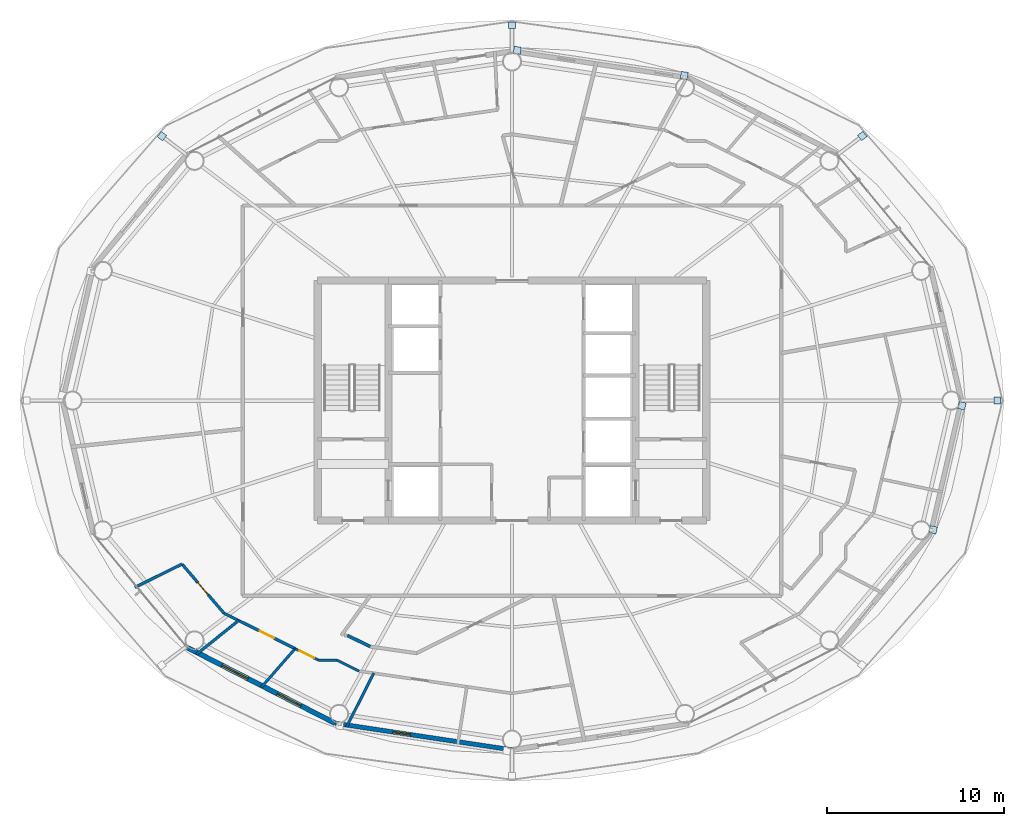
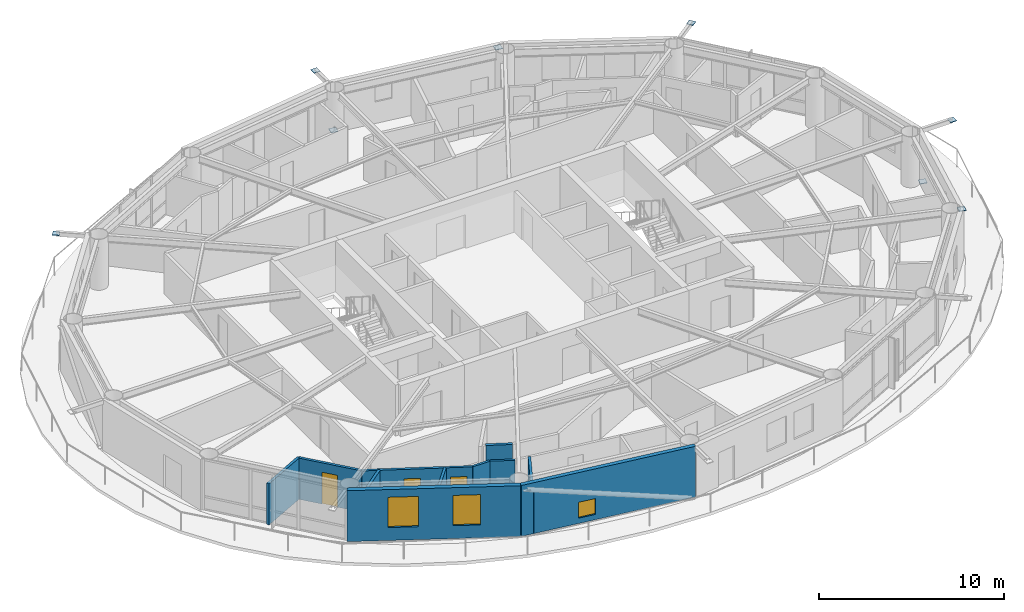
# One storey, part 15 of 23: 12 walls, 8 plates, 3 doors, 3 windows, 6 openings.
"""IFC4 building model written with IfcOpenShell, lengths in metres."""

from ifc_helpers import new_model, si_unit, direction, frame, frame_2d, origin, origin_2d, place, context, subcontext, project, spatial, rectangle, extrude, material, layer, layer_set, type_object, element, fill, save


model = new_model("IFC4")

# Units and contexts
model_context = context("Model", 3, precision=1e-05, world=origin(), true_north=direction((0.0, 1.0)))
body_context = subcontext(model_context, "Body", "Model", "MODEL_VIEW")
ifc_project = project(units=[si_unit("LENGTHUNIT", "METRE"), si_unit("AREAUNIT", "SQUARE_METRE"), si_unit("VOLUMEUNIT", "CUBIC_METRE"), si_unit("PLANEANGLEUNIT", "RADIAN"), si_unit("MASSUNIT", "GRAM", prefix="KILO")], contexts=[model_context])

# Site, building, storey
site_placement = place(None, origin())
site = spatial("IfcSite", under=ifc_project, at=site_placement, CompositionType="ELEMENT")
building_placement = place(site_placement, origin())
building = spatial("IfcBuilding", under=site, at=building_placement, Name="Sarneth Arch Tower", CompositionType="ELEMENT")
storey_placement = place(building_placement, frame((0.0, 0.0, 246.0)))
storey = spatial("IfcBuildingStorey", under=building, at=storey_placement, Name="L63", CompositionType="ELEMENT", Elevation=246.0)

# Plates
ifc_material_1 = material(Name="Steel S355", Category="steel")
ifc_layer_1 = layer(ifc_material_1, 0.035888671875)
ifc_layer_set_1 = layer_set([ifc_layer_1], Name="Steel S355")
plate_type = type_object("IfcPlateType", Name="PLT-GUSSET-30", PredefinedType="SHEET", material=ifc_layer_set_1)
for number, where, z_axis, x_axis, name in (
    (1, (75.48291015625, 42.0, 3.18212890625), (0.0, 0.0, 1.0), (1.0, 0.0, 0.0), "Steel end cap plate GP-1"),
    (2, (67.838134765625, 56.9833984375, 3.18212890625), (0.0, 0.0, 1.0), (0.798004853043, 0.602651022168, 0.0), "Steel end cap plate GP-1"),
):
    element("IfcPlate", number, at=place(storey_placement, frame(where, z_axis=z_axis, x_axis=x_axis)), inside=storey, type_object=plate_type, Name=name, PredefinedType="SHEET", context=body_context, shape_type="SweptSolid", body=[
        extrude(rectangle(XDim=0.3798828125, YDim=0.3798828125, at=origin_2d()), origin(), (0.0, 0.0, 1.0), 0.035888671875),
    ])
for number, where, z_axis, x_axis, name in (
    (3, (48.296630859375, 61.83544921875, 0.001953125), (0.0, 0.0, 1.0), (-0.988860535448, 0.148845024885, 0.0), "Steel end cap plate GP-1"),
    (4, (57.754150390625, 60.411376953125, 3.0185546875), (0.0, 0.0, 1.0), (-0.988860535448, 0.148845024885, 0.0), "Steel end cap plate GP-1"),
):
    element("IfcPlate", number, at=place(storey_placement, frame(where, z_axis=z_axis, x_axis=x_axis)), inside=storey, type_object=plate_type, Name=name, PredefinedType="SHEET", context=body_context, shape_type="SweptSolid", body=[
        extrude(rectangle(XDim=0.404052734375, YDim=0.404052734375, at=origin_2d()), origin(), (0.0, 0.0, 1.0), 0.035888671875),
    ])
for number, where, z_axis, x_axis, name in (
    (5, (48.0, 63.250244140625, 3.18212890625), (0.0, 0.0, 1.0), (0.0, 1.0, 0.0), "Steel end cap plate GP-1"),
    (6, (28.17724609375, 56.971923828125, 3.18212890625), (0.0, 0.0, 1.0), (-0.798004853043, 0.602651022168, 0.0), "Steel end cap plate GP-1"),
):
    element("IfcPlate", number, at=place(storey_placement, frame(where, z_axis=z_axis, x_axis=x_axis)), inside=storey, type_object=plate_type, Name=name, PredefinedType="SHEET", context=body_context, shape_type="SweptSolid", body=[
        extrude(rectangle(XDim=0.3798828125, YDim=0.3798828125, at=origin_2d()), origin(), (0.0, 0.0, 1.0), 0.035888671875),
    ])
for number, where, z_axis, x_axis, name in (
    (7, (73.4765625, 41.707763671875, 0.001953125), (0.0, 0.0, 1.0), (0.225461202458, 0.974252147129, 0.0), "Steel end cap plate GP-1"),
    (8, (71.851806640625, 34.6845703125, 3.0185546875), (0.0, 0.0, 1.0), (0.225461202458, 0.974252147129, 0.0), "Steel end cap plate GP-1"),
):
    element("IfcPlate", number, at=place(storey_placement, frame(where, z_axis=z_axis, x_axis=x_axis)), inside=storey, type_object=plate_type, Name=name, PredefinedType="SHEET", context=body_context, shape_type="SweptSolid", body=[
        extrude(rectangle(XDim=0.404052734375, YDim=0.404052734375, at=origin_2d()), origin(), (0.0, 0.0, 1.0), 0.035888671875),
    ])

# Wall, opening, window
ifc_material_2 = material(Name="Extruded terracotta rainscreen on Concrete C40/50 backing", Category="masonry")
ifc_layer_2 = layer(ifc_material_2, 0.25)
ifc_layer_set_2 = layer_set([ifc_layer_2], Name="Extruded terracotta rainscreen on Concrete C40/50 backing")
wall_type_1 = type_object("IfcWallType", Name="WALL-EXT-SPAND-250", PredefinedType="SOLIDWALL", material=ifc_layer_set_2)
wall_1_placement = place(storey_placement, frame((37.9873046875, 23.7255859375, 0.0), z_axis=(0.0, 0.0, 1.0), x_axis=(0.988882522213, -0.148698881169, 0.0)))
wall_1 = element("IfcWall", 9, at=wall_1_placement, inside=storey, type_object=wall_type_1, Name="L63 Terracotta perimeter wall 12", PredefinedType="SOLIDWALL", context=body_context, shape_type="SweptSolid", body=[
    extrude(rectangle(XDim=10.125244140625, YDim=0.25, at=frame_2d((5.0625, 0.0))), origin(), (0.0, 0.0, 1.0), 3.360107421875),
])
opening_1_placement = place(wall_1_placement, frame((3.311767578125, 0.0, 0.35009765625)))
opening_1 = element("IfcOpeningElement", 10, at=opening_1_placement, cuts=wall_1, Name="Opening W-14", PredefinedType="OPENING", context=body_context, shape_type="SweptSolid", body=[
    extrude(rectangle(XDim=1.0, YDim=1.050048828125, at=frame_2d((0.5, 0.52490234375))), frame((0.0, 0.135009765625, 0.0), z_axis=(0.0, -1.0, 0.0), x_axis=(1.0, 0.0, 0.0)), (0.0, 0.0, 1.0), 0.27001953125),
])
ifc_material_3 = material(Name="Thermally broken Aluminium 6063-T6 and low-e laminated IGU", Category="aluminium")
window_type_1 = type_object("IfcWindowType", Name="WIN-TWR-1000x1050", PartitioningType="SINGLE_PANEL", PredefinedType="WINDOW", material=ifc_material_3)
window_1_placement = place(opening_1_placement, origin())
window_1 = element("IfcWindow", 11, at=window_1_placement, inside=storey, type_object=window_type_1, Name="L63 Dwelling bedroom window 03", OverallHeight=1.050048828125, OverallWidth=1.0, PartitioningType="SINGLE_PANEL", PredefinedType="WINDOW", context=body_context, shape_type="SweptSolid", body=[
    extrude(rectangle(XDim=1.0, YDim=1.050048828125, at=frame_2d((0.5, 0.52490234375))), frame((0.0, 0.030029296875, 0.0), z_axis=(0.0, -1.0, 0.0), x_axis=(1.0, 0.0, 0.0)), (0.0, 0.0, 1.0), 0.06005859375),
])
fill(opening_1, window_1)

# Wall, openings, windows
ifc_material_4 = material(Name="Extruded terracotta rainscreen on Concrete C40/50 backing", Category="masonry")
ifc_layer_3 = layer(ifc_material_4, 0.280029296875)
ifc_layer_set_3 = layer_set([ifc_layer_3], Name="Extruded terracotta rainscreen on Concrete C40/50 backing")
wall_type_2 = type_object("IfcWallType", Name="WALL-EXT-TERRA-280", PredefinedType="SOLIDWALL", material=ifc_layer_set_3)
wall_2_placement = place(storey_placement, frame((29.617431640625, 28.013427734375, 0.0), z_axis=(0.0, 0.0, 1.0), x_axis=(0.890007394051, -0.455946091699, 0.0)))
wall_2 = element("IfcWall", 12, at=wall_2_placement, inside=storey, type_object=wall_type_2, Name="L63 Terracotta perimeter wall 11", PredefinedType="SOLIDWALL", context=body_context, shape_type="SweptSolid", body=[
    extrude(rectangle(XDim=9.404296875, YDim=0.280029296875, at=frame_2d((4.7021484375, 0.0))), origin(), (0.0, 0.0, 1.0), 3.360107421875),
])
opening_2_placement = place(wall_2_placement, frame((2.210693359375, 0.0, 0.85009765625)))
opening_2 = element("IfcOpeningElement", 13, at=opening_2_placement, cuts=wall_2, Name="Opening W-05", PredefinedType="OPENING", context=body_context, shape_type="SweptSolid", body=[
    extrude(rectangle(XDim=1.64990234375, YDim=2.0, at=frame_2d((0.824951171875, 1.0))), frame((0.0, 0.14990234375, 0.0), z_axis=(0.0, -1.0, 0.0), x_axis=(1.0, 0.0, 0.0)), (0.0, 0.0, 1.0), 0.300048828125),
])
opening_3_placement = place(wall_2_placement, frame((5.7265625, 0.0, 0.85009765625)))
opening_3 = element("IfcOpeningElement", 14, at=opening_3_placement, cuts=wall_2, Name="Opening W-06", PredefinedType="OPENING", context=body_context, shape_type="SweptSolid", body=[
    extrude(rectangle(XDim=1.5, YDim=2.0, at=frame_2d((0.75, 1.0))), frame((0.0, 0.14990234375, 0.0), z_axis=(0.0, -1.0, 0.0), x_axis=(1.0, 0.0, 0.0)), (0.0, 0.0, 1.0), 0.300048828125),
])
ifc_material_5 = material(Name="Thermally broken Aluminium 6063-T6 and low-e laminated IGU", Category="aluminium")
window_type_2 = type_object("IfcWindowType", Name="WIN-TWR-1500x2000", PartitioningType="SINGLE_PANEL", PredefinedType="WINDOW", material=ifc_material_5)
window_2_placement = place(opening_3_placement, origin())
window_2 = element("IfcWindow", 15, at=window_2_placement, inside=storey, type_object=window_type_2, Name="L63 Exterior window 11B", OverallHeight=2.0, OverallWidth=1.5, PartitioningType="SINGLE_PANEL", PredefinedType="WINDOW", context=body_context, shape_type="SweptSolid", body=[
    extrude(rectangle(XDim=1.5, YDim=2.0, at=frame_2d((0.75, 1.0))), frame((0.0, 0.030029296875, 0.0), z_axis=(0.0, -1.0, 0.0), x_axis=(1.0, 0.0, 0.0)), (0.0, 0.0, 1.0), 0.06005859375),
])
fill(opening_3, window_2)
ifc_material_6 = material(Name="Thermally broken Aluminium 6063-T6 and low-e laminated IGU", Category="aluminium")
window_type_3 = type_object("IfcWindowType", Name="WIN-TWR-1650x2000", PartitioningType="DOUBLE_PANEL_VERTICAL", PredefinedType="WINDOW", material=ifc_material_6)
window_3_placement = place(opening_2_placement, origin())
window_3 = element("IfcWindow", 16, at=window_3_placement, inside=storey, type_object=window_type_3, Name="L63 Exterior window 11A", OverallHeight=2.0, OverallWidth=1.64990234375, PartitioningType="SINGLE_PANEL", PredefinedType="WINDOW", context=body_context, shape_type="SweptSolid", body=[
    extrude(rectangle(XDim=1.64990234375, YDim=2.0, at=frame_2d((0.824951171875, 1.0))), frame((0.0, 0.030029296875, 0.0), z_axis=(0.0, -1.0, 0.0), x_axis=(1.0, 0.0, 0.0)), (0.0, 0.0, 1.0), 0.06005859375),
])
fill(opening_2, window_3)

# Wall, opening, door
ifc_material_7 = material(Name="Apartment internal stud partition", Category="gypsum")
ifc_layer_4 = layer(ifc_material_7, 0.139892578125)
ifc_layer_set_4 = layer_set([ifc_layer_4], Name="Apartment internal stud partition")
wall_type_3 = type_object("IfcWallType", Name="WALL-PART-140", PredefinedType="PARTITIONING", material=ifc_layer_set_4)
wall_3_placement = place(storey_placement, frame((35.719482421875, 27.95458984375, 0.0), z_axis=(0.0, 0.0, 1.0), x_axis=(0.895454269924, -0.445153513381, 0.0)))
wall_3 = element("IfcWall", 17, at=wall_3_placement, inside=storey, type_object=wall_type_3, Name="L63 Interior partition W-L63-TP-068", PredefinedType="PARTITIONING", context=body_context, shape_type="SweptSolid", body=[
    extrude(rectangle(XDim=1.470458984375, YDim=0.139892578125, at=frame_2d((0.7353515625, 0.0))), origin(), (0.0, 0.0, 1.0), 2.719970703125),
])
opening_4_placement = place(wall_3_placement, frame((0.28515625, 0.0, 0.0)))
opening_4 = element("IfcOpeningElement", 18, at=opening_4_placement, cuts=wall_3, Name="Opening ID-01", PredefinedType="OPENING", context=body_context, shape_type="SweptSolid", body=[
    extrude(rectangle(XDim=0.89990234375, YDim=2.10009765625, at=frame_2d((0.449951171875, 1.050048828125))), frame((0.0, 0.079833984375, 0.0), z_axis=(0.0, -1.0, 0.0), x_axis=(1.0, 0.0, 0.0)), (0.0, 0.0, 1.0), 0.159912109375),
])
ifc_material_8 = material(Name="Engineered hardwood flush door", Category="wood")
door_type = type_object("IfcDoorType", Name="DR-INT-900", OperationType="SINGLE_SWING_LEFT", PredefinedType="DOOR", material=ifc_material_8)
door_1_placement = place(opening_4_placement, origin())
door_1 = element("IfcDoor", 19, at=door_1_placement, inside=storey, type_object=door_type, Name="L63 Interior door DR-L63-U4-BED1", OperationType="SINGLE_SWING_RIGHT", OverallHeight=2.10009765625, OverallWidth=0.89990234375, PredefinedType="DOOR", context=body_context, shape_type="SweptSolid", body=[
    extrude(rectangle(XDim=0.89990234375, YDim=2.10009765625, at=frame_2d((0.449951171875, 1.050048828125))), frame((0.0, 0.02490234375, 0.0), z_axis=(0.0, -1.0, 0.0), x_axis=(1.0, 0.0, 0.0)), (0.0, 0.0, 1.0), 0.050048828125),
])
fill(opening_4, door_1)

# Walls
wall_4_placement = place(storey_placement, frame((38.101318359375, 27.300048828125, 0.0), z_axis=(0.0, 0.0, 1.0), x_axis=(0.895584310315, -0.444891833053, 0.0)))
element("IfcWall", 20, at=wall_4_placement, inside=storey, type_object=wall_type_3, Name="L63 Interior partition W-L63-TP-070", PredefinedType="PARTITIONING", context=body_context, shape_type="SweptSolid", body=[
    extrude(rectangle(XDim=1.388916015625, YDim=0.139892578125, at=frame_2d((0.6943359375, 0.0))), origin(), (0.0, 0.0, 1.0), 2.719970703125),
])
wall_5_placement = place(storey_placement, frame((37.0361328125, 27.300048828125, 0.0), z_axis=(0.0, 0.0, 1.0), x_axis=(1.0, 0.0, 0.0)))
element("IfcWall", 21, at=wall_5_placement, inside=storey, type_object=wall_type_3, Name="L63 Interior partition W-L63-TP-069", PredefinedType="PARTITIONING", context=body_context, shape_type="SweptSolid", body=[
    extrude(rectangle(XDim=1.065185546875, YDim=0.139892578125, at=frame_2d((0.53271484375, 0.0))), origin(), (0.0, 0.0, 1.0), 2.719970703125),
])
ifc_material_9 = material(Name="Acoustic gypsum stud partition", Category="gypsum")
ifc_layer_5 = layer(ifc_material_9, 0.14990234375)
ifc_layer_set_5 = layer_set([ifc_layer_5], Name="Acoustic gypsum stud partition")
wall_type_4 = type_object("IfcWallType", Name="WALL-PART-150", PredefinedType="PARTITIONING", material=ifc_layer_set_5)
wall_6_placement = place(storey_placement, frame((40.17236328125, 26.5615234375, 0.0), z_axis=(0.0, 0.0, 1.0), x_axis=(-0.452265757691, -0.891883223533, 0.0)))
element("IfcWall", 22, at=wall_6_placement, inside=storey, type_object=wall_type_4, Name="L63 Interior partition W-L63-TP-078", PredefinedType="PARTITIONING", context=body_context, shape_type="SweptSolid", body=[
    extrude(rectangle(XDim=3.41650390625, YDim=0.14990234375, at=frame_2d((1.708251953125, 0.0))), origin(), (0.0, 0.0, 1.0), 2.719970703125),
])
wall_7_placement = place(storey_placement, frame((35.719482421875, 27.95458984375, 0.0), z_axis=(0.0, 0.0, 1.0), x_axis=(-0.658257126569, -0.752793169019, 0.0)))
element("IfcWall", 23, at=wall_7_placement, inside=storey, type_object=wall_type_4, Name="L63 Interior partition W-L63-TP-077", PredefinedType="PARTITIONING", context=body_context, shape_type="SweptSolid", body=[
    extrude(rectangle(XDim=2.933837890625, YDim=0.14990234375, at=frame_2d((1.466796875, 0.0))), origin(), (0.0, 0.0, 1.0), 2.719970703125),
])

# Wall, opening, door
ifc_material_10 = material(Name="Kitchen wet service chase wall", Category="gypsum")
ifc_layer_6 = layer(ifc_material_10, 0.159912109375)
ifc_layer_set_6 = layer_set([ifc_layer_6], Name="Kitchen wet service chase wall")
wall_type_5 = type_object("IfcWallType", Name="WALL-PLUMB-160", PredefinedType="PLUMBINGWALL", material=ifc_layer_set_6)
wall_8_placement = place(storey_placement, frame((31.68896484375, 29.9580078125, 0.0), z_axis=(0.0, 0.0, 1.0), x_axis=(-0.648993169548, 0.7607942336, 0.0)))
wall_8 = element("IfcWall", 24, at=wall_8_placement, inside=storey, type_object=wall_type_5, Name="L63 Interior partition W-L63-TP-061", PredefinedType="PLUMBINGWALL", context=body_context, shape_type="SweptSolid", body=[
    extrude(rectangle(XDim=3.659912109375, YDim=0.159912109375, at=frame_2d((1.830078125, 0.0))), origin(), (0.0, 0.0, 1.0), 2.719970703125),
])
opening_5_placement = place(wall_8_placement, frame((1.3798828125, 0.0, 0.0)))
opening_5 = element("IfcOpeningElement", 25, at=opening_5_placement, cuts=wall_8, Name="Opening ID-01", PredefinedType="OPENING", context=body_context, shape_type="SweptSolid", body=[
    extrude(rectangle(XDim=0.89990234375, YDim=2.10009765625, at=frame_2d((0.449951171875, 1.050048828125))), frame((0.0, 0.08984375, 0.0), z_axis=(0.0, -1.0, 0.0), x_axis=(1.0, 0.0, 0.0)), (0.0, 0.0, 1.0), 0.179931640625),
])
door_2_placement = place(opening_5_placement, origin())
door_2 = element("IfcDoor", 26, at=door_2_placement, inside=storey, type_object=door_type, Name="L63 Interior door DR-L63-U4-KIT", OperationType="SINGLE_SWING_RIGHT", OverallHeight=2.10009765625, OverallWidth=0.89990234375, PredefinedType="DOOR", context=body_context, shape_type="SweptSolid", body=[
    extrude(rectangle(XDim=0.89990234375, YDim=2.10009765625, at=frame_2d((0.449951171875, 1.050048828125))), frame((0.0, 0.02490234375, 0.0), z_axis=(0.0, -1.0, 0.0), x_axis=(1.0, 0.0, 0.0)), (0.0, 0.0, 1.0), 0.050048828125),
])
fill(opening_5, door_2)

wall_9_placement = place(storey_placement, frame((31.68896484375, 29.9580078125, 0.0), z_axis=(0.0, 0.0, 1.0), x_axis=(0.895477004863, -0.445107777691, 0.0)))
wall_9 = element("IfcWall", 27, at=wall_9_placement, inside=storey, type_object=wall_type_5, Name="L63 Interior partition W-L63-TP-059", PredefinedType="PLUMBINGWALL", context=body_context, shape_type="SweptSolid", body=[
    extrude(rectangle(XDim=4.5009765625, YDim=0.159912109375, at=frame_2d((2.25048828125, 0.0))), origin(), (0.0, 0.0, 1.0), 2.719970703125),
])
opening_6_placement = place(wall_9_placement, frame((2.2626953125, 0.0, 0.0)))
opening_6 = element("IfcOpeningElement", 28, at=opening_6_placement, cuts=wall_9, Name="Opening ID-01", PredefinedType="OPENING", context=body_context, shape_type="SweptSolid", body=[
    extrude(rectangle(XDim=0.89990234375, YDim=2.10009765625, at=frame_2d((0.449951171875, 1.050048828125))), frame((0.0, 0.08984375, 0.0), z_axis=(0.0, -1.0, 0.0), x_axis=(1.0, 0.0, 0.0)), (0.0, 0.0, 1.0), 0.179931640625),
])
door_3_placement = place(opening_6_placement, origin())
door_3 = element("IfcDoor", 29, at=door_3_placement, inside=storey, type_object=door_type, Name="L63 Interior door DR-L63-U4-STD", OperationType="SINGLE_SWING_LEFT", OverallHeight=2.10009765625, OverallWidth=0.89990234375, PredefinedType="DOOR", context=body_context, shape_type="SweptSolid", body=[
    extrude(rectangle(XDim=0.89990234375, YDim=2.10009765625, at=frame_2d((0.449951171875, 1.050048828125))), frame((0.0, 0.02490234375, 0.0), z_axis=(0.0, -1.0, 0.0), x_axis=(1.0, 0.0, 0.0)), (0.0, 0.0, 1.0), 0.050048828125),
])
fill(opening_6, door_3)

# Walls
wall_10_placement = place(storey_placement, frame((30.130615234375, 27.62744140625, 0.0), z_axis=(0.0, 0.0, 1.0), x_axis=(0.779248157205, 0.62671549326, 0.0)))
element("IfcWall", 30, at=wall_10_placement, inside=storey, type_object=wall_type_5, Name="L63 Interior partition W-L63-TP-076", PredefinedType="PLUMBINGWALL", context=body_context, shape_type="SweptSolid", body=[
    extrude(rectangle(XDim=3.06201171875, YDim=0.159912109375, at=frame_2d((1.531005859375, 0.0))), origin(), (0.0, 0.0, 1.0), 2.719970703125),
])
wall_11_placement = place(storey_placement, frame((29.313720703125, 32.742431640625, 0.0), z_axis=(0.0, 0.0, 1.0), x_axis=(-0.896093729672, -0.443864875432, 0.0)))
element("IfcWall", 31, at=wall_11_placement, inside=storey, type_object=wall_type_5, Name="L63 Interior partition W-L63-TP-062", PredefinedType="PLUMBINGWALL", context=body_context, shape_type="SweptSolid", body=[
    extrude(rectangle(XDim=2.977294921875, YDim=0.159912109375, at=frame_2d((1.48876953125, 0.0))), origin(), (0.0, 0.0, 1.0), 2.719970703125),
])
ifc_material_11 = material(Name="Moisture-resistant plumbing chase wall", Category="gypsum")
ifc_layer_7 = layer(ifc_material_11, 0.179931640625)
ifc_layer_set_7 = layer_set([ifc_layer_7], Name="Moisture-resistant plumbing chase wall")
wall_type_6 = type_object("IfcWallType", Name="WALL-PLUMB-180", PredefinedType="PLUMBINGWALL", material=ifc_layer_set_7)
wall_12_placement = place(storey_placement, frame((38.67919921875, 28.699951171875, 0.0), z_axis=(0.0, 0.0, 1.0), x_axis=(0.898916394035, -0.438120207861, 0.0)))
element("IfcWall", 32, at=wall_12_placement, inside=storey, type_object=wall_type_6, Name="L63 Interior partition W-L63-TP-065", PredefinedType="PLUMBINGWALL", context=body_context, shape_type="SweptSolid", body=[
    extrude(rectangle(XDim=1.442626953125, YDim=0.179931640625, at=frame_2d((0.72119140625, 0.0))), origin(), (0.0, 0.0, 1.0), 2.719970703125),
])

save(model, "model.ifc")
